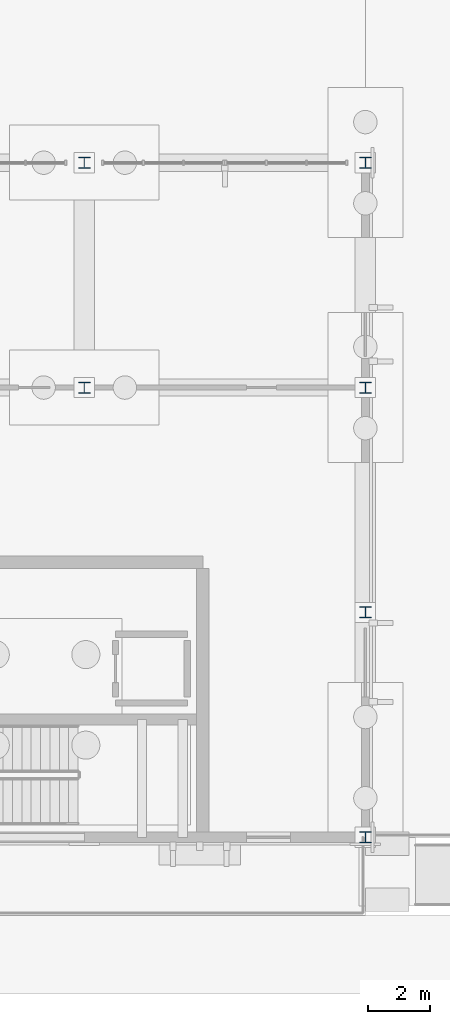
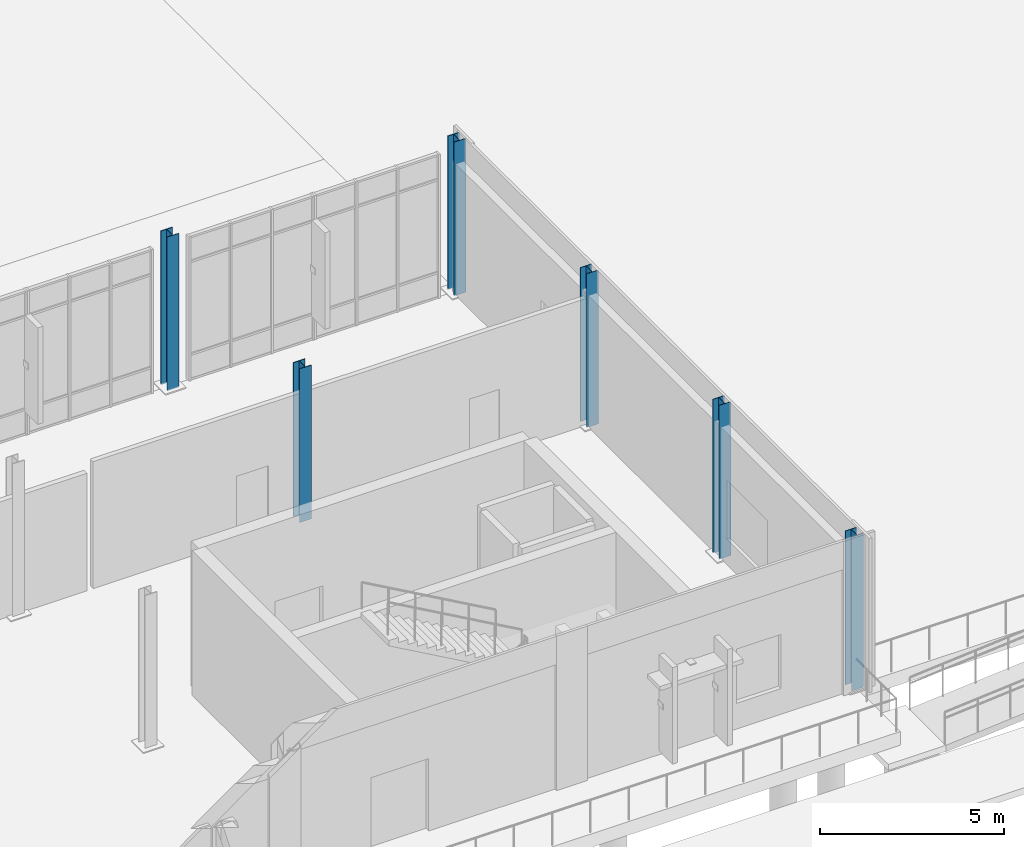
# One storey, part 22 of 94: 6 columns.
"""IFC4 building model written with IfcOpenShell, lengths in metres."""

from ifc_helpers import new_model, si_unit, direction, frame, origin, origin_2d, place, context, subcontext, project, spatial, i_section, extrude, material, material_profile, profile_set, type_object, element, save


model = new_model("IFC4")

# Units and contexts
model_context = context("Model", 3, precision=1e-05, world=origin(), true_north=direction((0.0, 1.0)))
body_context = subcontext(model_context, "Body", "Model", "MODEL_VIEW")
ifc_project = project(units=[si_unit("LENGTHUNIT", "METRE"), si_unit("AREAUNIT", "SQUARE_METRE"), si_unit("VOLUMEUNIT", "CUBIC_METRE"), si_unit("PLANEANGLEUNIT", "RADIAN"), si_unit("MASSUNIT", "GRAM", prefix="KILO")], contexts=[model_context])

# Site, building, storey
site_placement = place(None, origin())
site = spatial("IfcSite", under=ifc_project, at=site_placement, CompositionType="ELEMENT")
building_placement = place(site_placement, origin())
building = spatial("IfcBuilding", under=site, at=building_placement, Name="Vervanel Yard Central Library", CompositionType="ELEMENT")
storey_placement = place(building_placement, origin())
storey = spatial("IfcBuildingStorey", under=building, at=storey_placement, Name="L00", CompositionType="ELEMENT", Elevation=0.0)

# Columns
ifc_material = material(Name="Steel ASTM A992 Grade 50", Category="steel")
ifc_material_profile = material_profile(ifc_material, i_section(OverallWidth=0.368408203125, OverallDepth=0.355712890625, WebThickness=0.01123046875, FlangeThickness=0.01806640625, at=origin_2d()), Name="W14X90", Category="steel")
ifc_profile_set = profile_set([ifc_material_profile], Name="Steel ASTM A992 Grade 50")
column_type = type_object("IfcColumnType", Name="Steel Column W14X90", PredefinedType="COLUMN", material=ifc_profile_set)
for number, where, z_axis, x_axis, name in (
    (1, (99.0, 14.39990234375, 0.0), (0.0, 0.0, 1.0), (1.0, 0.0, 0.0), "L00 Steel Column W14X90 (99.0, 14.4)"),
    (2, (99.0, 21.60009765625, 0.0), (0.0, 0.0, 1.0), (1.0, 0.0, 0.0), "L00 Steel Column W14X90 (99.0, 21.6)"),
    (3, (108.0, 0.0, 0.0), (0.0, 0.0, 1.0), (1.0, 0.0, 0.0), "L00 Steel Column W14X90 (108.0, 0.0)"),
    (4, (108.0, 7.199951171875, 0.0), (0.0, 0.0, 1.0), (1.0, 0.0, 0.0), "L00 Steel Column W14X90 (108.0, 7.2)"),
    (5, (108.0, 14.39990234375, 0.0), (0.0, 0.0, 1.0), (1.0, 0.0, 0.0), "L00 Steel Column W14X90 (108.0, 14.4)"),
    (6, (108.0, 21.60009765625, 0.0), (0.0, 0.0, 1.0), (1.0, 0.0, 0.0), "L00 Steel Column W14X90 (108.0, 21.6)"),
):
    element("IfcColumn", number, at=place(storey_placement, frame(where, z_axis=z_axis, x_axis=x_axis)), inside=storey, type_object=column_type, Name=name, PredefinedType="COLUMN", context=body_context, shape_type="SweptSolid", body=[
        extrude(i_section(OverallWidth=0.368408203125, OverallDepth=0.355712890625, WebThickness=0.01123046875, FlangeThickness=0.01806640625, at=origin_2d()), origin(), (0.0, 0.0, 1.0), 5.10009765625),
    ])

save(model, "model.ifc")
